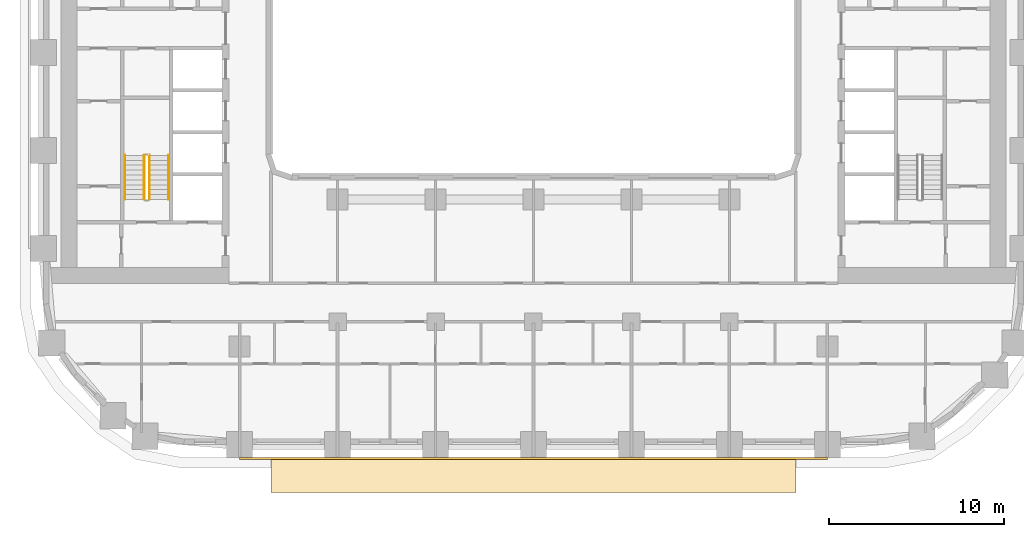
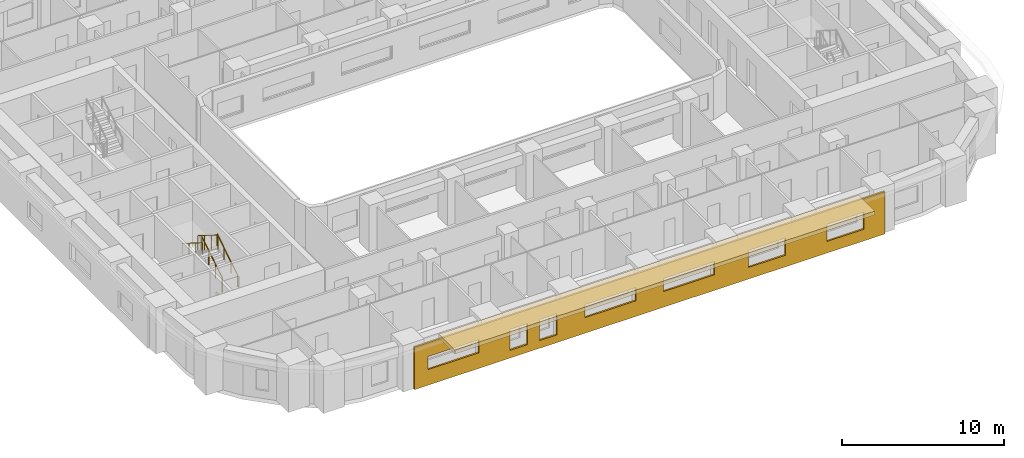
# One storey, part 12 of 21: 4 railings, 2 coverings.
"""IFC4 building model written with IfcOpenShell, lengths in metres."""

from ifc_helpers import new_model, si_unit, direction, frame, origin, origin_2d, place, context, subcontext, project, spatial, polyline, circle, outline, extrude, material, layer, layer_set, type_object, element, save


model = new_model("IFC4")

# Units and contexts
model_context = context("Model", 3, precision=1e-05, world=origin(), true_north=direction((0.0, 1.0)))
body_context = subcontext(model_context, "Body", "Model", "MODEL_VIEW")
ifc_project = project(units=[si_unit("LENGTHUNIT", "METRE"), si_unit("AREAUNIT", "SQUARE_METRE"), si_unit("VOLUMEUNIT", "CUBIC_METRE"), si_unit("PLANEANGLEUNIT", "RADIAN"), si_unit("MASSUNIT", "GRAM", prefix="KILO")], contexts=[model_context])

# Site, building, storey
site_placement = place(None, origin())
site = spatial("IfcSite", under=ifc_project, at=site_placement, CompositionType="ELEMENT")
building_placement = place(site_placement, origin())
building = spatial("IfcBuilding", under=site, at=building_placement, Name="Kiln Ring Residences", CompositionType="ELEMENT")
storey_placement = place(building_placement, frame((0.0, 0.0, 48.0)))
storey = spatial("IfcBuildingStorey", under=building, at=storey_placement, Name="L11", CompositionType="ELEMENT", Elevation=48.0)

# Railings
ifc_material_1 = material(Name="Stainless steel", Category="steel")
railing_type_1 = type_object("IfcRailingType", Name="CORE-STAIR-GUARD", PredefinedType="GUARDRAIL", material=ifc_material_1)
railing_1_placement = place(storey_placement, frame((-21.949951171875, -8.39990234375, 0.175048828125)))
element("IfcRailing", 1, at=railing_1_placement, inside=storey, type_object=railing_type_1, Name="L11 W-STS stair guard 1", PredefinedType="GUARDRAIL", context=body_context, shape_type="SweptSolid", body=[
    extrude(circle(Radius=0.02392578125, at=origin_2d()), frame((0.0, 0.0, 1.076171875), z_axis=(0.0, 0.848007534815, 0.529984170421), x_axis=(-1.0, 0.0, 0.0)), (0.0, 0.0, 1.0), 2.9716796875),
    extrude(circle(Radius=0.02099609375, at=origin_2d()), origin(), (0.0, 0.0, 1.0), 1.052001953125),
    extrude(circle(Radius=0.02099609375, at=origin_2d()), frame((0.0, 0.840087890625, 0.52490234375)), (0.0, 0.0, 1.0), 1.052001953125),
    extrude(circle(Radius=0.02099609375, at=origin_2d()), frame((0.0, 1.679931640625, 1.050048828125)), (0.0, 0.0, 1.0), 1.052001953125),
    extrude(circle(Radius=0.02099609375, at=origin_2d()), frame((0.0, 2.52001953125, 1.574951171875)), (0.0, 0.0, 1.0), 1.052001953125),
])
railing_2_placement = place(storey_placement, frame((-22.25, -5.8798828125, 1.925048828125)))
element("IfcRailing", 2, at=railing_2_placement, inside=storey, type_object=railing_type_1, Name="L11 W-STS stair guard 3", PredefinedType="GUARDRAIL", context=body_context, shape_type="SweptSolid", body=[
    extrude(circle(Radius=0.02392578125, at=origin_2d()), frame((0.0, 0.0, 1.076171875), z_axis=(0.0, -0.848007534815, 0.529984170421), x_axis=(1.0, 0.0, 0.0)), (0.0, 0.0, 1.0), 2.9716796875),
    extrude(circle(Radius=0.02099609375, at=origin_2d()), origin(), (0.0, 0.0, 1.0), 1.052001953125),
    extrude(circle(Radius=0.02099609375, at=origin_2d()), frame((0.0, -0.840087890625, 0.52490234375)), (0.0, 0.0, 1.0), 1.052001953125),
    extrude(circle(Radius=0.02099609375, at=origin_2d()), frame((0.0, -1.679931640625, 1.050048828125)), (0.0, 0.0, 1.0), 1.052001953125),
    extrude(circle(Radius=0.02099609375, at=origin_2d()), frame((0.0, -2.52001953125, 1.574951171875)), (0.0, 0.0, 1.0), 1.052001953125),
])
ifc_material_2 = material(Name="Stainless steel", Category="steel")
railing_type_2 = type_object("IfcRailingType", Name="CORE-STAIR-HANDRAIL", PredefinedType="HANDRAIL", material=ifc_material_2)
railing_3_placement = place(storey_placement, frame((-20.85009765625, -8.39990234375, 0.175048828125)))
element("IfcRailing", 3, at=railing_3_placement, inside=storey, type_object=railing_type_2, Name="L11 W-STS stair handrail 1", PredefinedType="HANDRAIL", context=body_context, shape_type="SweptSolid", body=[
    extrude(circle(Radius=0.02392578125, at=origin_2d()), frame((0.0, 0.0, 0.8759765625), z_axis=(0.0, 0.848007534815, 0.529984170421), x_axis=(-1.0, 0.0, 0.0)), (0.0, 0.0, 1.0), 2.9716796875),
    extrude(circle(Radius=0.02099609375, at=origin_2d()), origin(), (0.0, 0.0, 1.0), 0.851806640625),
    extrude(circle(Radius=0.02099609375, at=origin_2d()), frame((0.0, 0.840087890625, 0.52490234375)), (0.0, 0.0, 1.0), 0.851806640625),
    extrude(circle(Radius=0.02099609375, at=origin_2d()), frame((0.0, 1.679931640625, 1.050048828125)), (0.0, 0.0, 1.0), 0.851806640625),
    extrude(circle(Radius=0.02099609375, at=origin_2d()), frame((0.0, 2.52001953125, 1.574951171875)), (0.0, 0.0, 1.0), 0.851806640625),
])
railing_4_placement = place(storey_placement, frame((-23.35009765625, -5.8798828125, 1.925048828125)))
element("IfcRailing", 4, at=railing_4_placement, inside=storey, type_object=railing_type_2, Name="L11 W-STS stair handrail 2", PredefinedType="HANDRAIL", context=body_context, shape_type="SweptSolid", body=[
    extrude(circle(Radius=0.02392578125, at=origin_2d()), frame((0.0, 0.0, 0.8759765625), z_axis=(0.0, -0.848007534815, 0.529984170421), x_axis=(1.0, 0.0, 0.0)), (0.0, 0.0, 1.0), 2.9716796875),
    extrude(circle(Radius=0.02099609375, at=origin_2d()), origin(), (0.0, 0.0, 1.0), 0.851806640625),
    extrude(circle(Radius=0.02099609375, at=origin_2d()), frame((0.0, -0.840087890625, 0.52490234375)), (0.0, 0.0, 1.0), 0.851806640625),
    extrude(circle(Radius=0.02099609375, at=origin_2d()), frame((0.0, -1.679931640625, 1.050048828125)), (0.0, 0.0, 1.0), 0.851806640625),
    extrude(circle(Radius=0.02099609375, at=origin_2d()), frame((0.0, -2.52001953125, 1.574951171875)), (0.0, 0.0, 1.0), 0.851806640625),
])

# Coverings
ifc_material_3 = material(Name="Brick masonry, dark clay brick", Category="masonry")
ifc_layer_1 = layer(ifc_material_3, 0.1201171875)
ifc_layer_set_1 = layer_set([ifc_layer_1], Name="RAINSCREEN PANEL 120")
covering_type_1 = type_object("IfcCoveringType", Name="RAINSCREEN PANEL 120", PredefinedType="CLADDING", material=ifc_layer_set_1)
covering_1_placement = place(storey_placement, frame((-16.800048828125, -23.2099609375, 0.0), z_axis=(0.0, 0.0, 1.0), x_axis=(1.0, 0.0, 0.0)))
element("IfcCovering", 5, at=covering_1_placement, inside=storey, type_object=covering_type_1, Name="RAINSCREEN L11", PredefinedType="CLADDING", context=body_context, shape_type="SweptSolid", body=[
    extrude(outline(polyline([(0.0, 0.0), (33.60009765625, 0.0), (33.60009765625, 3.199951171875), (0.0, 3.199951171875), (0.0, 0.0)]), holes=[polyline([(8.0576171875, 0.580078125), (8.0576171875, 2.169921875), (6.8173828125, 2.169921875), (6.8173828125, 0.580078125), (8.0576171875, 0.580078125)]), polyline([(8.9423828125, 0.580078125), (10.1826171875, 0.580078125), (10.1826171875, 2.169921875), (8.9423828125, 2.169921875), (8.9423828125, 0.580078125)]), polyline([(23.8798828125, 0.8798828125), (26.52001953125, 0.8798828125), (26.52001953125, 2.169921875), (23.8798828125, 2.169921875), (23.8798828125, 0.8798828125)]), polyline([(29.47998046875, 0.8798828125), (32.1201171875, 0.8798828125), (32.1201171875, 2.169921875), (29.47998046875, 2.169921875), (29.47998046875, 0.8798828125)]), polyline([(0.97998046875, 1.179931640625), (4.6201171875, 1.179931640625), (4.6201171875, 2.169921875), (0.97998046875, 2.169921875), (0.97998046875, 1.179931640625)]), polyline([(12.179931640625, 1.179931640625), (15.820068359375, 1.179931640625), (15.820068359375, 2.169921875), (12.179931640625, 2.169921875), (12.179931640625, 1.179931640625)]), polyline([(17.780029296875, 1.179931640625), (21.419921875, 1.179931640625), (21.419921875, 2.169921875), (17.780029296875, 2.169921875), (17.780029296875, 1.179931640625)])]), frame((0.0, 0.06005859375, 0.0), z_axis=(0.0, -1.0, 0.0), x_axis=(1.0, 0.0, 0.0)), (0.0, 0.0, 1.0), 0.1201171875),
])
ifc_material_4 = material(Name="Black powder-coated steel", Category="steel")
ifc_layer_2 = layer(ifc_material_4, 0.300048828125)
ifc_layer_set_2 = layer_set([ifc_layer_2], Name="SUNSHADE BAND 2000")
covering_type_2 = type_object("IfcCoveringType", Name="SUNSHADE BAND 2000", PredefinedType="CLADDING", material=ifc_layer_set_2)
covering_2_placement = place(storey_placement, frame((0.0, 0.0, 3.199951171875)))
element("IfcCovering", 6, at=covering_2_placement, inside=storey, type_object=covering_type_2, Name="SUNSHADE BAND L11", PredefinedType="CLADDING", context=body_context, shape_type="SweptSolid", body=[
    extrude(outline(polyline([(-15.0, -25.14990234375), (15.0, -25.14990234375), (15.0, -23.14990234375), (-15.0, -23.14990234375), (-15.0, -25.14990234375)])), origin(), (0.0, 0.0, 1.0), 0.300048828125),
])

save(model, "model.ifc")
